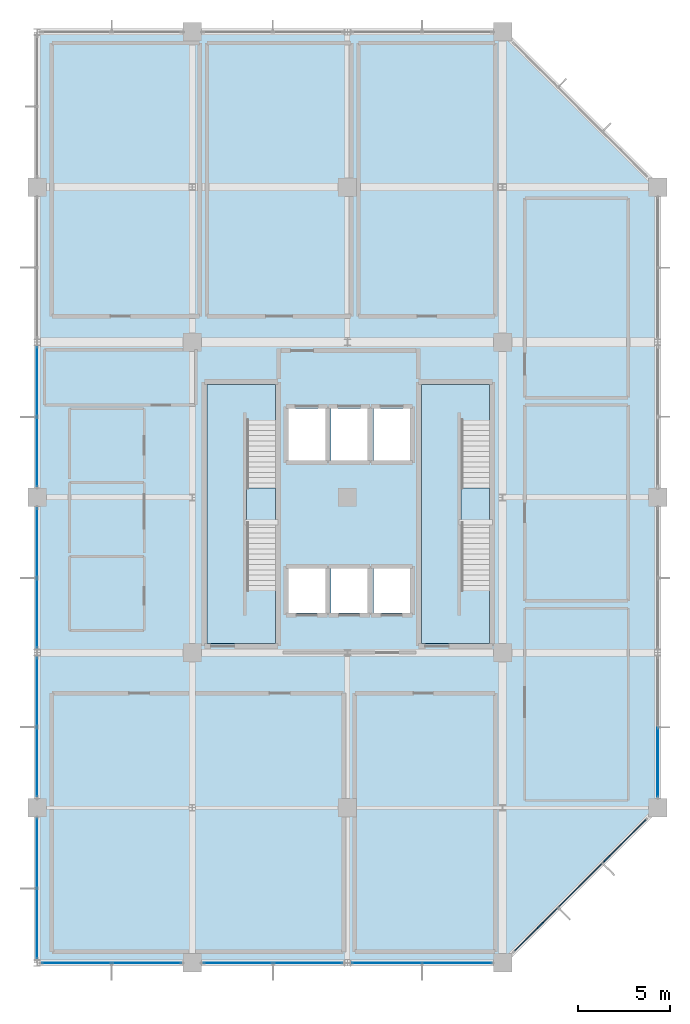
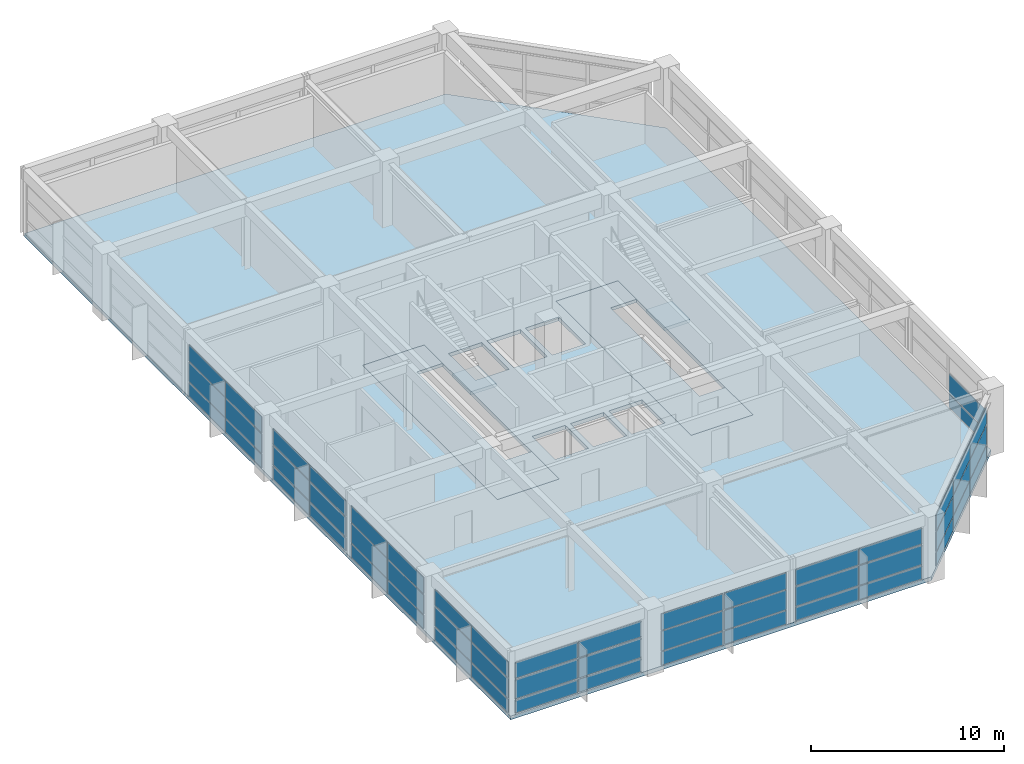
# One storey, part 11 of 16: 53 plates, 5 slabs, 11 elements without a shape of their own.
"""IFC4 building model written with IfcOpenShell, lengths in metres."""

import ifcopenshell
import ifcopenshell.guid

model = None  # the IFC model being written
_history = None  # IfcOwnerHistory: only IFC2X3 demands one
_inside = {}  # id of a spatial element -> (the spatial element, [elements in it])
_under = {}  # id of a project, library or spatial element -> (it, [spatial elements below it])
_declared = {}  # id of a project -> (the project, [libraries it declares])
_typed = {}  # id of a type object -> (the type object, [elements of that type])
_made_of = {}  # id of a material, layer set ... -> (it, [elements and type objects made of it])


def new_model(schema):
    """Start an empty IFC model of exactly this schema.

    Asked for "IFC4X3", IfcOpenShell would pick the latest addendum, in which some entities
    have other attributes; the version numbers below select the first issue.
    IFC2X3 requires an IfcOwnerHistory on every rooted entity: one is made here for all.
    """
    global model, _history
    if schema == "IFC4X3":
        model = ifcopenshell.file(schema_version=(4, 3, 0, 0))
    else:
        model = ifcopenshell.file(schema=schema)
    _inside.clear()
    _under.clear()
    _declared.clear()
    _typed.clear()
    _made_of.clear()
    _history = None
    if model.schema == "IFC2X3":
        org = make("IfcOrganization", Name="unknown")
        user = make(
            "IfcPersonAndOrganization",
            ThePerson=make("IfcPerson", FamilyName="unknown"),
            TheOrganization=org,
        )
        app = make(
            "IfcApplication",
            ApplicationDeveloper=org,
            Version="unknown",
            ApplicationFullName="unknown",
            ApplicationIdentifier="unknown",
        )
        _history = make(
            "IfcOwnerHistory",
            OwningUser=user,
            OwningApplication=app,
            ChangeAction="ADDED",
            CreationDate=0,
        )
    return model


def make(cls, **values):
    """One entity of the class cls with the attributes given. An attribute that is None is left unset."""
    return model.create_entity(
        cls, **{name: value for name, value in values.items() if value is not None}
    )


def rooted(cls, **values):
    """An entity with a GlobalId (a new one), such as an element, a storey or a relation."""
    return make(cls, GlobalId=ifcopenshell.guid.new(), OwnerHistory=_history, **values)


def si_unit(unit_type, name, prefix=None):
    """IfcSIUnit, for example si_unit("LENGTHUNIT", "METRE", prefix="MILLI")."""
    return make("IfcSIUnit", UnitType=unit_type, Prefix=prefix, Name=name)


def assignment(units):
    """IfcUnitAssignment: the units of a project."""
    return None if units is None else make("IfcUnitAssignment", Units=units)


def point(xyz):
    """IfcCartesianPoint."""
    return None if xyz is None else make("IfcCartesianPoint", Coordinates=xyz)


def direction(xyz):
    """IfcDirection."""
    return None if xyz is None else make("IfcDirection", DirectionRatios=xyz)


def frame(location, z_axis=None, x_axis=None):
    """IfcAxis2Placement3D, a coordinate frame: its origin and axes. An axis left out is left unset."""
    return make(
        "IfcAxis2Placement3D",
        Location=point(location),
        Axis=direction(z_axis),
        RefDirection=direction(x_axis),
    )


def frame_2d(location, x_axis=None):
    """IfcAxis2Placement2D, a coordinate frame in the plane: its origin and x axis."""
    return make(
        "IfcAxis2Placement2D", Location=point(location), RefDirection=direction(x_axis)
    )


def origin():
    """The frame at (0, 0, 0) with its axes left unset."""
    return frame((0.0, 0.0, 0.0))


def origin_2d():
    """The frame at (0, 0) in the plane with its x axis left unset."""
    return frame_2d((0.0, 0.0))


def place(relative_to, where):
    """IfcLocalPlacement: puts the frame where relative to a parent placement (None: the world)."""
    return make(
        "IfcLocalPlacement", PlacementRelTo=relative_to, RelativePlacement=where
    )


def context(
    kind, dimensions, precision=None, world=None, true_north=None, identifier=None
):
    """IfcGeometricRepresentationContext, for example the 3D "Model" context."""
    return make(
        "IfcGeometricRepresentationContext",
        ContextIdentifier=identifier,
        ContextType=kind,
        CoordinateSpaceDimension=dimensions,
        Precision=precision,
        WorldCoordinateSystem=world,
        TrueNorth=true_north,
    )


def subcontext(parent, identifier, kind, view, scale=None):
    """IfcGeometricRepresentationSubContext, for example "Body" below "Model"."""
    return make(
        "IfcGeometricRepresentationSubContext",
        ContextIdentifier=identifier,
        ContextType=kind,
        ParentContext=parent,
        TargetScale=scale,
        TargetView=view,
    )


def project(units=None, contexts=None):
    """IfcProject with its units and contexts."""
    return rooted(
        "IfcProject",
        Name="project",
        RepresentationContexts=contexts,
        UnitsInContext=assignment(units),
    )


def spatial(cls, under=None, at=None, **own):
    """A site, building, storey or space (cls), placed at a placement, below another one or the project."""
    s = rooted(cls, ObjectPlacement=at, **own)
    if under is not None:
        _under.setdefault(under.id(), (under, []))[1].append(s)
    return s


def polyline(points):
    """IfcPolyline through the points."""
    return make("IfcPolyline", Points=[point(p) for p in points])


def profile(cls, at=None, kind="AREA", **sizes):
    """A parametric profile (cls). Its sizes go by their IFC names, for example OverallWidth=200.0."""
    return make(cls, ProfileType=kind, Position=at, **sizes)


def rectangle(**sizes):
    """IfcRectangleProfileDef."""
    return profile("IfcRectangleProfileDef", **sizes)


def outline(outer, holes=None, kind="AREA"):
    """IfcArbitraryClosedProfileDef: a profile drawn as a closed curve; with holes, ...WithVoids."""
    if holes is None:
        return make("IfcArbitraryClosedProfileDef", ProfileType=kind, OuterCurve=outer)
    return make(
        "IfcArbitraryProfileDefWithVoids",
        ProfileType=kind,
        OuterCurve=outer,
        InnerCurves=holes,
    )


def extrude(swept, where, along, depth):
    """IfcExtrudedAreaSolid: the profile swept, set in the frame where, extruded along a direction by depth."""
    return make(
        "IfcExtrudedAreaSolid",
        SweptArea=swept,
        Position=where,
        ExtrudedDirection=direction(along),
        Depth=depth,
    )


def shape(context_of_items, identifier, shape_type, items):
    """IfcShapeRepresentation: the items that make up one representation, for example the "Body"."""
    return make(
        "IfcShapeRepresentation",
        ContextOfItems=context_of_items,
        RepresentationIdentifier=identifier,
        RepresentationType=shape_type,
        Items=items,
    )


def material(Name=None, Category=None):
    """IfcMaterial."""
    return make("IfcMaterial", Name=Name, Category=Category)


def layer(
    of_material, thickness, ventilated=None, Name=None, Category=None, Priority=None
):
    """IfcMaterialLayer: one layer of a wall or slab, of a material (None: an air gap)."""
    return make(
        "IfcMaterialLayer",
        Material=of_material,
        LayerThickness=thickness,
        IsVentilated=ventilated,
        Name=Name,
        Category=Category,
        Priority=Priority,
    )


def layer_set(layers, Name=None):
    """IfcMaterialLayerSet."""
    return make("IfcMaterialLayerSet", MaterialLayers=layers, LayerSetName=Name)


def made_of(thing, what):
    """Note that an element or type object is made of a material, layer set ...; save() writes the relation."""
    if what is not None:
        _made_of.setdefault(what.id(), (what, []))[1].append(thing)
    return thing


def type_object(cls, material=None, **own):
    """A type object (cls), such as IfcWallType, which elements share."""
    return made_of(rooted(cls, **own), material)


def element(
    cls,
    number,
    at=None,
    inside=None,
    cuts=None,
    type_object=None,
    material=None,
    context=None,
    identifier="Body",
    shape_type=None,
    held_by="IfcProductDefinitionShape",
    body=None,
    shapes=None,
    **own,
):
    """One element of the class cls, such as IfcWall. Its Tag is "e" and its number.

    at: its placement. inside: the storey or other place that contains it. cuts: it is an
    opening in that element (IfcRelVoidsElement). A single representation is given by context,
    identifier, shape_type and body (its items); several are given by shapes. held_by: the class
    of the entity that holds the representations. save() writes the other relations.
    """
    e = rooted(cls, Tag="e%d" % number, ObjectPlacement=at, **own)
    if body is not None:
        shapes = [shape(context, identifier, shape_type, body)]
    if shapes is not None:
        e.Representation = make(held_by, Representations=shapes)
    if inside is not None:
        _inside.setdefault(inside.id(), (inside, []))[1].append(e)
    if cuts is not None:
        rooted(
            "IfcRelVoidsElement", RelatingBuildingElement=cuts, RelatedOpeningElement=e
        )
    if type_object is not None:
        _typed.setdefault(type_object.id(), (type_object, []))[1].append(e)
    return made_of(e, material)


def aggregate(whole, parts):
    """IfcRelAggregates: a whole, such as a stair, and the parts it consists of."""
    return rooted("IfcRelAggregates", RelatingObject=whole, RelatedObjects=parts)


def save(model, path):
    """Write the relations noted so far, then the file.

    IfcRelAggregates (storeys below a building ...), IfcRelContainedInSpatialStructure (elements
    in a storey), IfcRelDefinesByType, IfcRelAssociatesMaterial and IfcRelDeclares: one each for
    every whole, place, type object, material and project.
    """
    for whole, parts in _under.values():
        aggregate(whole, parts)
    for where, things in _inside.values():
        rooted(
            "IfcRelContainedInSpatialStructure",
            RelatedElements=things,
            RelatingStructure=where,
        )
    for kind, things in _typed.values():
        rooted("IfcRelDefinesByType", RelatedObjects=things, RelatingType=kind)
    for what, things in _made_of.values():
        rooted("IfcRelAssociatesMaterial", RelatedObjects=things, RelatingMaterial=what)
    for by, libraries in _declared.values():
        rooted("IfcRelDeclares", RelatingContext=by, RelatedDefinitions=libraries)
    model.write(path)


model = new_model("IFC4")

# Units and contexts
model_context = context("Model", 3, precision=1e-05, world=origin(), true_north=direction((0.0, 1.0)))
body_context = subcontext(model_context, "Body", "Model", "MODEL_VIEW")
ifc_project = project(units=[si_unit("LENGTHUNIT", "METRE"), si_unit("AREAUNIT", "SQUARE_METRE"), si_unit("VOLUMEUNIT", "CUBIC_METRE"), si_unit("PLANEANGLEUNIT", "RADIAN"), si_unit("MASSUNIT", "GRAM", prefix="KILO")], contexts=[model_context])

# Site, building, storey
site_placement = place(None, origin())
site = spatial("IfcSite", under=ifc_project, at=site_placement, CompositionType="ELEMENT")
building_placement = place(site_placement, origin())
building = spatial("IfcBuilding", under=site, at=building_placement, Name="Xuanlan Plaza Opera House", CompositionType="ELEMENT")
storey_placement = place(building_placement, frame((0.0, 0.0, 48.89990234375)))
storey = spatial("IfcBuildingStorey", under=building, at=storey_placement, Name="L11", CompositionType="ELEMENT", Elevation=48.89990234375)

# Curtain wall, plates
ifc_material_1 = material(Name="Anodised Aluminium 6063-T6 and Low-E Glass", Category="aluminium")
curtain_wall_type_1 = type_object("IfcCurtainWallType", Name="ENV-CW-CW-02", PredefinedType="USERDEFINED", material=ifc_material_1)
curtain_wall_1_placement = place(storey_placement, origin())
curtain_wall_1 = element("IfcCurtainWall", 1, at=curtain_wall_1_placement, inside=storey, type_object=curtain_wall_type_1, Name="Unitised Curtain Wall L11-001", ObjectType="UNITISED CURTAIN WALL", PredefinedType="USERDEFINED")
ifc_material_2 = material(Name="Laminated Acoustic Double Glazing", Category="glass")
ifc_layer_1 = layer(ifc_material_2, 0.028076171875)
ifc_layer_set_1 = layer_set([ifc_layer_1], Name="Laminated Acoustic Double Glazing")
plate_type_1 = type_object("IfcPlateType", Name="ENV-CWP-01", PredefinedType="CURTAIN_PANEL", material=ifc_layer_set_1)
plate_1_placement = place(storey_placement, frame((128.13623046875, 33.60009765625, 0.090087890625), z_axis=(0.0, 0.0, 1.0), x_axis=(1.0, 0.0, 0.0)))
plate_1 = element("IfcPlate", 2, at=plate_1_placement, type_object=plate_type_1, Name="CW-02 panel 1.1", PredefinedType="CURTAIN_PANEL", context=body_context, shape_type="SweptSolid", body=[
    extrude(rectangle(XDim=3.722412109375, YDim=0.028076171875, at=origin_2d()), origin(), (0.0, 0.0, 1.0), 0.81494140625),
])
plate_2_placement = place(storey_placement, frame((128.13623046875, 33.60009765625, 0.9951171875), z_axis=(0.0, 0.0, 1.0), x_axis=(1.0, 0.0, 0.0)))
plate_2 = element("IfcPlate", 3, at=plate_2_placement, type_object=plate_type_1, Name="CW-02 panel 1.2", PredefinedType="CURTAIN_PANEL", context=body_context, shape_type="SweptSolid", body=[
    extrude(rectangle(XDim=3.722412109375, YDim=0.028076171875, at=origin_2d()), origin(), (0.0, 0.0, 1.0), 1.2099609375),
])
plate_3_placement = place(storey_placement, frame((128.13623046875, 33.60009765625, 2.294921875), z_axis=(0.0, 0.0, 1.0), x_axis=(1.0, 0.0, 0.0)))
plate_3 = element("IfcPlate", 4, at=plate_3_placement, type_object=plate_type_1, Name="CW-02 panel 1.3", PredefinedType="CURTAIN_PANEL", context=body_context, shape_type="SweptSolid", body=[
    extrude(rectangle(XDim=3.722412109375, YDim=0.028076171875, at=origin_2d()), origin(), (0.0, 0.0, 1.0), 0.9951171875),
])
plate_4_placement = place(storey_placement, frame((131.938720703125, 33.60009765625, 0.090087890625), z_axis=(0.0, 0.0, 1.0), x_axis=(1.0, 0.0, 0.0)))
plate_4 = element("IfcPlate", 5, at=plate_4_placement, type_object=plate_type_1, Name="CW-02 panel 2.1", PredefinedType="CURTAIN_PANEL", context=body_context, shape_type="SweptSolid", body=[
    extrude(rectangle(XDim=3.722412109375, YDim=0.028076171875, at=origin_2d()), origin(), (0.0, 0.0, 1.0), 0.81494140625),
])
plate_5_placement = place(storey_placement, frame((131.938720703125, 33.60009765625, 0.9951171875), z_axis=(0.0, 0.0, 1.0), x_axis=(1.0, 0.0, 0.0)))
plate_5 = element("IfcPlate", 6, at=plate_5_placement, type_object=plate_type_1, Name="CW-02 panel 2.2", PredefinedType="CURTAIN_PANEL", context=body_context, shape_type="SweptSolid", body=[
    extrude(rectangle(XDim=3.722412109375, YDim=0.028076171875, at=origin_2d()), origin(), (0.0, 0.0, 1.0), 1.2099609375),
])
plate_6_placement = place(storey_placement, frame((131.938720703125, 33.60009765625, 2.294921875), z_axis=(0.0, 0.0, 1.0), x_axis=(1.0, 0.0, 0.0)))
plate_6 = element("IfcPlate", 7, at=plate_6_placement, type_object=plate_type_1, Name="CW-02 panel 2.3", PredefinedType="CURTAIN_PANEL", context=body_context, shape_type="SweptSolid", body=[
    extrude(rectangle(XDim=3.722412109375, YDim=0.028076171875, at=origin_2d()), origin(), (0.0, 0.0, 1.0), 0.9951171875),
])
aggregate(curtain_wall_1, [plate_1, plate_2, plate_3, plate_4, plate_5, plate_6])

curtain_wall_type_2 = type_object("IfcCurtainWallType", Name="ENV-CW-CW-01", PredefinedType="USERDEFINED", material=ifc_material_1)
curtain_wall_2_placement = place(storey_placement, origin())
curtain_wall_2 = element("IfcCurtainWall", 8, at=curtain_wall_2_placement, inside=storey, type_object=curtain_wall_type_2, Name="Unitised Curtain Wall L11-016", ObjectType="UNITISED CURTAIN WALL", PredefinedType="USERDEFINED")
plate_7_placement = place(storey_placement, frame((126.0, 56.3388671875, 0.090087890625), z_axis=(0.0, 0.0, 1.0), x_axis=(0.0, -1.0, 0.0)))
plate_7 = element("IfcPlate", 9, at=plate_7_placement, type_object=plate_type_1, Name="CW-01 panel 1.1", PredefinedType="CURTAIN_PANEL", context=body_context, shape_type="SweptSolid", body=[
    extrude(rectangle(XDim=3.722412109375, YDim=0.028076171875, at=origin_2d()), origin(), (0.0, 0.0, 1.0), 0.81494140625),
])
plate_8_placement = place(storey_placement, frame((126.0, 56.3388671875, 0.9951171875), z_axis=(0.0, 0.0, 1.0), x_axis=(0.0, -1.0, 0.0)))
plate_8 = element("IfcPlate", 10, at=plate_8_placement, type_object=plate_type_1, Name="CW-01 panel 1.2", PredefinedType="CURTAIN_PANEL", context=body_context, shape_type="SweptSolid", body=[
    extrude(rectangle(XDim=3.722412109375, YDim=0.028076171875, at=origin_2d()), origin(), (0.0, 0.0, 1.0), 1.2099609375),
])
plate_9_placement = place(storey_placement, frame((126.0, 56.3388671875, 2.294921875), z_axis=(0.0, 0.0, 1.0), x_axis=(0.0, -1.0, 0.0)))
plate_9 = element("IfcPlate", 11, at=plate_9_placement, type_object=plate_type_1, Name="CW-01 panel 1.3", PredefinedType="CURTAIN_PANEL", context=body_context, shape_type="SweptSolid", body=[
    extrude(rectangle(XDim=3.722412109375, YDim=0.028076171875, at=origin_2d()), origin(), (0.0, 0.0, 1.0), 0.9951171875),
])
plate_10_placement = place(storey_placement, frame((126.0, 52.5361328125, 0.090087890625), z_axis=(0.0, 0.0, 1.0), x_axis=(0.0, -1.0, 0.0)))
plate_10 = element("IfcPlate", 12, at=plate_10_placement, type_object=plate_type_1, Name="CW-01 panel 2.1", PredefinedType="CURTAIN_PANEL", context=body_context, shape_type="SweptSolid", body=[
    extrude(rectangle(XDim=3.722412109375, YDim=0.028076171875, at=origin_2d()), origin(), (0.0, 0.0, 1.0), 0.81494140625),
])
plate_11_placement = place(storey_placement, frame((126.0, 52.5361328125, 0.9951171875), z_axis=(0.0, 0.0, 1.0), x_axis=(0.0, -1.0, 0.0)))
plate_11 = element("IfcPlate", 13, at=plate_11_placement, type_object=plate_type_1, Name="CW-01 panel 2.2", PredefinedType="CURTAIN_PANEL", context=body_context, shape_type="SweptSolid", body=[
    extrude(rectangle(XDim=3.722412109375, YDim=0.028076171875, at=origin_2d()), origin(), (0.0, 0.0, 1.0), 1.2099609375),
])
plate_12_placement = place(storey_placement, frame((126.0, 52.5361328125, 2.294921875), z_axis=(0.0, 0.0, 1.0), x_axis=(0.0, -1.0, 0.0)))
plate_12 = element("IfcPlate", 14, at=plate_12_placement, type_object=plate_type_1, Name="CW-01 panel 2.3", PredefinedType="CURTAIN_PANEL", context=body_context, shape_type="SweptSolid", body=[
    extrude(rectangle(XDim=3.722412109375, YDim=0.028076171875, at=origin_2d()), origin(), (0.0, 0.0, 1.0), 0.9951171875),
])
aggregate(curtain_wall_2, [plate_7, plate_8, plate_9, plate_10, plate_11, plate_12])

curtain_wall_type_3 = type_object("IfcCurtainWallType", Name="ENV-CW-CW-04", PredefinedType="USERDEFINED", material=ifc_material_1)
curtain_wall_3_placement = place(storey_placement, origin())
curtain_wall_3 = element("IfcCurtainWall", 15, at=curtain_wall_3_placement, inside=storey, type_object=curtain_wall_type_3, Name="Unitised Curtain Wall L11-003", ObjectType="UNITISED CURTAIN WALL", PredefinedType="USERDEFINED")
ifc_layer_2 = layer(ifc_material_2, 0.031982421875)
ifc_layer_set_2 = layer_set([ifc_layer_2], Name="Laminated Acoustic Double Glazing")
plate_type_2 = type_object("IfcPlateType", Name="ENV-CWP-02", PredefinedType="CURTAIN_PANEL", material=ifc_layer_set_2)
plate_13_placement = place(storey_placement, frame((144.9326171875, 33.60009765625, 0.080078125), z_axis=(0.0, 0.0, 1.0), x_axis=(1.0, 0.0, 0.0)))
plate_13 = element("IfcPlate", 16, at=plate_13_placement, type_object=plate_type_2, Name="CW-04 panel 1.1", PredefinedType="CURTAIN_PANEL", context=body_context, shape_type="SweptSolid", body=[
    extrude(rectangle(XDim=3.7451171875, YDim=0.031982421875, at=origin_2d()), origin(), (0.0, 0.0, 1.0), 0.830078125),
])
plate_14_placement = place(storey_placement, frame((144.9326171875, 33.60009765625, 0.990234375), z_axis=(0.0, 0.0, 1.0), x_axis=(1.0, 0.0, 0.0)))
plate_14 = element("IfcPlate", 17, at=plate_14_placement, type_object=plate_type_2, Name="CW-04 panel 1.2", PredefinedType="CURTAIN_PANEL", context=body_context, shape_type="SweptSolid", body=[
    extrude(rectangle(XDim=3.7451171875, YDim=0.031982421875, at=origin_2d()), origin(), (0.0, 0.0, 1.0), 1.219970703125),
])
plate_15_placement = place(storey_placement, frame((144.9326171875, 33.60009765625, 2.2900390625), z_axis=(0.0, 0.0, 1.0), x_axis=(1.0, 0.0, 0.0)))
plate_15 = element("IfcPlate", 18, at=plate_15_placement, type_object=plate_type_2, Name="CW-04 panel 1.3", PredefinedType="CURTAIN_PANEL", context=body_context, shape_type="SweptSolid", body=[
    extrude(rectangle(XDim=3.7451171875, YDim=0.031982421875, at=origin_2d()), origin(), (0.0, 0.0, 1.0), 1.010009765625),
])
plate_16_placement = place(storey_placement, frame((148.742431640625, 33.60009765625, 0.080078125), z_axis=(0.0, 0.0, 1.0), x_axis=(1.0, 0.0, 0.0)))
plate_16 = element("IfcPlate", 19, at=plate_16_placement, type_object=plate_type_2, Name="CW-04 panel 2.1", PredefinedType="CURTAIN_PANEL", context=body_context, shape_type="SweptSolid", body=[
    extrude(rectangle(XDim=3.7451171875, YDim=0.031982421875, at=origin_2d()), origin(), (0.0, 0.0, 1.0), 0.830078125),
])
plate_17_placement = place(storey_placement, frame((148.742431640625, 33.60009765625, 0.990234375), z_axis=(0.0, 0.0, 1.0), x_axis=(1.0, 0.0, 0.0)))
plate_17 = element("IfcPlate", 20, at=plate_17_placement, type_object=plate_type_2, Name="CW-04 panel 2.2", PredefinedType="CURTAIN_PANEL", context=body_context, shape_type="SweptSolid", body=[
    extrude(rectangle(XDim=3.7451171875, YDim=0.031982421875, at=origin_2d()), origin(), (0.0, 0.0, 1.0), 1.219970703125),
])
plate_18_placement = place(storey_placement, frame((148.742431640625, 33.60009765625, 2.2900390625), z_axis=(0.0, 0.0, 1.0), x_axis=(1.0, 0.0, 0.0)))
plate_18 = element("IfcPlate", 21, at=plate_18_placement, type_object=plate_type_2, Name="CW-04 panel 2.3", PredefinedType="CURTAIN_PANEL", context=body_context, shape_type="SweptSolid", body=[
    extrude(rectangle(XDim=3.7451171875, YDim=0.031982421875, at=origin_2d()), origin(), (0.0, 0.0, 1.0), 1.010009765625),
])
aggregate(curtain_wall_3, [plate_13, plate_14, plate_15, plate_16, plate_17, plate_18])

curtain_wall_type_4 = type_object("IfcCurtainWallType", Name="ENV-CW-CW-03", PredefinedType="USERDEFINED", material=ifc_material_1)
curtain_wall_4_placement = place(storey_placement, origin())
curtain_wall_4 = element("IfcCurtainWall", 22, at=curtain_wall_4_placement, inside=storey, type_object=curtain_wall_type_4, Name="Unitised Curtain Wall L11-018", ObjectType="UNITISED CURTAIN WALL", PredefinedType="USERDEFINED")
plate_19_placement = place(storey_placement, frame((126.0, 39.54248046875, 0.080078125), z_axis=(0.0, 0.0, 1.0), x_axis=(0.0, -1.0, 0.0)))
plate_19 = element("IfcPlate", 23, at=plate_19_placement, type_object=plate_type_2, Name="CW-03 panel 1.1", PredefinedType="CURTAIN_PANEL", context=body_context, shape_type="SweptSolid", body=[
    extrude(rectangle(XDim=3.7451171875, YDim=0.031982421875, at=origin_2d()), origin(), (0.0, 0.0, 1.0), 0.830078125),
])
plate_20_placement = place(storey_placement, frame((126.0, 39.54248046875, 0.990234375), z_axis=(0.0, 0.0, 1.0), x_axis=(0.0, -1.0, 0.0)))
plate_20 = element("IfcPlate", 24, at=plate_20_placement, type_object=plate_type_2, Name="CW-03 panel 1.2", PredefinedType="CURTAIN_PANEL", context=body_context, shape_type="SweptSolid", body=[
    extrude(rectangle(XDim=3.7451171875, YDim=0.031982421875, at=origin_2d()), origin(), (0.0, 0.0, 1.0), 1.219970703125),
])
plate_21_placement = place(storey_placement, frame((126.0, 39.54248046875, 2.2900390625), z_axis=(0.0, 0.0, 1.0), x_axis=(0.0, -1.0, 0.0)))
plate_21 = element("IfcPlate", 25, at=plate_21_placement, type_object=plate_type_2, Name="CW-03 panel 1.3", PredefinedType="CURTAIN_PANEL", context=body_context, shape_type="SweptSolid", body=[
    extrude(rectangle(XDim=3.7451171875, YDim=0.031982421875, at=origin_2d()), origin(), (0.0, 0.0, 1.0), 1.010009765625),
])
plate_22_placement = place(storey_placement, frame((126.0, 35.732421875, 0.080078125), z_axis=(0.0, 0.0, 1.0), x_axis=(0.0, -1.0, 0.0)))
plate_22 = element("IfcPlate", 26, at=plate_22_placement, type_object=plate_type_2, Name="CW-03 panel 2.1", PredefinedType="CURTAIN_PANEL", context=body_context, shape_type="SweptSolid", body=[
    extrude(rectangle(XDim=3.7451171875, YDim=0.031982421875, at=origin_2d()), origin(), (0.0, 0.0, 1.0), 0.830078125),
])
plate_23_placement = place(storey_placement, frame((126.0, 35.732421875, 0.990234375), z_axis=(0.0, 0.0, 1.0), x_axis=(0.0, -1.0, 0.0)))
plate_23 = element("IfcPlate", 27, at=plate_23_placement, type_object=plate_type_2, Name="CW-03 panel 2.2", PredefinedType="CURTAIN_PANEL", context=body_context, shape_type="SweptSolid", body=[
    extrude(rectangle(XDim=3.7451171875, YDim=0.031982421875, at=origin_2d()), origin(), (0.0, 0.0, 1.0), 1.219970703125),
])
plate_24_placement = place(storey_placement, frame((126.0, 35.732421875, 2.2900390625), z_axis=(0.0, 0.0, 1.0), x_axis=(0.0, -1.0, 0.0)))
plate_24 = element("IfcPlate", 28, at=plate_24_placement, type_object=plate_type_2, Name="CW-03 panel 2.3", PredefinedType="CURTAIN_PANEL", context=body_context, shape_type="SweptSolid", body=[
    extrude(rectangle(XDim=3.7451171875, YDim=0.031982421875, at=origin_2d()), origin(), (0.0, 0.0, 1.0), 1.010009765625),
])
aggregate(curtain_wall_4, [plate_19, plate_20, plate_21, plate_22, plate_23, plate_24])

curtain_wall_5_placement = place(storey_placement, origin())
curtain_wall_5 = element("IfcCurtainWall", 29, at=curtain_wall_5_placement, inside=storey, type_object=curtain_wall_type_1, Name="Unitised Curtain Wall L11-005", ObjectType="UNITISED CURTAIN WALL", PredefinedType="USERDEFINED")
ifc_layer_3 = layer(ifc_material_2, 0.035888671875)
ifc_layer_set_3 = layer_set([ifc_layer_3], Name="Laminated Acoustic Double Glazing")
plate_type_3 = type_object("IfcPlateType", Name="ENV-CWP-03", PredefinedType="CURTAIN_PANEL", material=ifc_layer_set_3)
plate_25_placement = place(storey_placement, frame((159.60009765625, 44.4599609375, 0.0751953125), z_axis=(0.0, 0.0, 1.0), x_axis=(0.0, 1.0, 0.0)))
plate_25 = element("IfcPlate", 30, at=plate_25_placement, type_object=plate_type_3, Name="CW-02 panel 1.1", PredefinedType="CURTAIN_PANEL", context=body_context, shape_type="SweptSolid", body=[
    extrude(rectangle(XDim=3.72998046875, YDim=0.035888671875, at=origin_2d()), origin(), (0.0, 0.0, 1.0), 0.83740234375),
])
plate_26_placement = place(storey_placement, frame((159.60009765625, 44.4599609375, 0.987548828125), z_axis=(0.0, 0.0, 1.0), x_axis=(0.0, 1.0, 0.0)))
plate_26 = element("IfcPlate", 31, at=plate_26_placement, type_object=plate_type_3, Name="CW-02 panel 1.2", PredefinedType="CURTAIN_PANEL", context=body_context, shape_type="SweptSolid", body=[
    extrude(rectangle(XDim=3.72998046875, YDim=0.035888671875, at=origin_2d()), origin(), (0.0, 0.0, 1.0), 1.22509765625),
])
aggregate(curtain_wall_5, [plate_25, plate_26])

curtain_wall_6_placement = place(storey_placement, origin())
curtain_wall_6 = element("IfcCurtainWall", 32, at=curtain_wall_6_placement, inside=storey, type_object=curtain_wall_type_3, Name="Unitised Curtain Wall L11-015", ObjectType="UNITISED CURTAIN WALL", PredefinedType="USERDEFINED")
plate_27_placement = place(storey_placement, frame((126.0, 65.06494140625, 0.0751953125), z_axis=(0.0, 0.0, 1.0), x_axis=(0.0, -1.0, 0.0)))
plate_27 = element("IfcPlate", 33, at=plate_27_placement, type_object=plate_type_3, Name="CW-04 panel 1.1", PredefinedType="CURTAIN_PANEL", context=body_context, shape_type="SweptSolid", body=[
    extrude(rectangle(XDim=3.72998046875, YDim=0.035888671875, at=origin_2d()), origin(), (0.0, 0.0, 1.0), 0.83740234375),
])
plate_28_placement = place(storey_placement, frame((126.0, 65.06494140625, 0.987548828125), z_axis=(0.0, 0.0, 1.0), x_axis=(0.0, -1.0, 0.0)))
plate_28 = element("IfcPlate", 34, at=plate_28_placement, type_object=plate_type_3, Name="CW-04 panel 1.2", PredefinedType="CURTAIN_PANEL", context=body_context, shape_type="SweptSolid", body=[
    extrude(rectangle(XDim=3.72998046875, YDim=0.035888671875, at=origin_2d()), origin(), (0.0, 0.0, 1.0), 1.22509765625),
])
plate_29_placement = place(storey_placement, frame((126.0, 65.06494140625, 2.28759765625), z_axis=(0.0, 0.0, 1.0), x_axis=(0.0, -1.0, 0.0)))
plate_29 = element("IfcPlate", 35, at=plate_29_placement, type_object=plate_type_3, Name="CW-04 panel 1.3", PredefinedType="CURTAIN_PANEL", context=body_context, shape_type="SweptSolid", body=[
    extrude(rectangle(XDim=3.72998046875, YDim=0.035888671875, at=origin_2d()), origin(), (0.0, 0.0, 1.0), 1.017578125),
])
plate_30_placement = place(storey_placement, frame((126.0, 61.260009765625, 0.0751953125), z_axis=(0.0, 0.0, 1.0), x_axis=(0.0, -1.0, 0.0)))
plate_30 = element("IfcPlate", 36, at=plate_30_placement, type_object=plate_type_3, Name="CW-04 panel 2.1", PredefinedType="CURTAIN_PANEL", context=body_context, shape_type="SweptSolid", body=[
    extrude(rectangle(XDim=3.72998046875, YDim=0.035888671875, at=origin_2d()), origin(), (0.0, 0.0, 1.0), 0.83740234375),
])
plate_31_placement = place(storey_placement, frame((126.0, 61.260009765625, 0.987548828125), z_axis=(0.0, 0.0, 1.0), x_axis=(0.0, -1.0, 0.0)))
plate_31 = element("IfcPlate", 37, at=plate_31_placement, type_object=plate_type_3, Name="CW-04 panel 2.2", PredefinedType="CURTAIN_PANEL", context=body_context, shape_type="SweptSolid", body=[
    extrude(rectangle(XDim=3.72998046875, YDim=0.035888671875, at=origin_2d()), origin(), (0.0, 0.0, 1.0), 1.22509765625),
])
plate_32_placement = place(storey_placement, frame((126.0, 61.260009765625, 2.28759765625), z_axis=(0.0, 0.0, 1.0), x_axis=(0.0, -1.0, 0.0)))
plate_32 = element("IfcPlate", 38, at=plate_32_placement, type_object=plate_type_3, Name="CW-04 panel 2.3", PredefinedType="CURTAIN_PANEL", context=body_context, shape_type="SweptSolid", body=[
    extrude(rectangle(XDim=3.72998046875, YDim=0.035888671875, at=origin_2d()), origin(), (0.0, 0.0, 1.0), 1.017578125),
])
aggregate(curtain_wall_6, [plate_27, plate_28, plate_29, plate_30, plate_31, plate_32])

curtain_wall_7_placement = place(storey_placement, origin())
curtain_wall_7 = element("IfcCurtainWall", 39, at=curtain_wall_7_placement, inside=storey, type_object=curtain_wall_type_4, Name="Unitised Curtain Wall L11-002", ObjectType="UNITISED CURTAIN WALL", PredefinedType="USERDEFINED")
ifc_layer_4 = layer(ifc_material_2, 0.0400390625)
ifc_layer_set_4 = layer_set([ifc_layer_4], Name="Laminated Acoustic Double Glazing")
plate_type_4 = type_object("IfcPlateType", Name="ENV-CWP-04", PredefinedType="CURTAIN_PANEL", material=ifc_layer_set_4)
plate_33_placement = place(storey_placement, frame((136.86376953125, 33.60009765625, 0.0703125), z_axis=(0.0, 0.0, 1.0), x_axis=(1.0, 0.0, 0.0)))
plate_33 = element("IfcPlate", 40, at=plate_33_placement, type_object=plate_type_4, Name="CW-03 panel 1.1", PredefinedType="CURTAIN_PANEL", context=body_context, shape_type="SweptSolid", body=[
    extrude(rectangle(XDim=3.70751953125, YDim=0.0400390625, at=origin_2d()), origin(), (0.0, 0.0, 1.0), 0.844970703125),
])
plate_34_placement = place(storey_placement, frame((136.86376953125, 33.60009765625, 0.985107421875), z_axis=(0.0, 0.0, 1.0), x_axis=(1.0, 0.0, 0.0)))
plate_34 = element("IfcPlate", 41, at=plate_34_placement, type_object=plate_type_4, Name="CW-03 panel 1.2", PredefinedType="CURTAIN_PANEL", context=body_context, shape_type="SweptSolid", body=[
    extrude(rectangle(XDim=3.70751953125, YDim=0.0400390625, at=origin_2d()), origin(), (0.0, 0.0, 1.0), 1.22998046875),
])
plate_35_placement = place(storey_placement, frame((136.86376953125, 33.60009765625, 2.28515625), z_axis=(0.0, 0.0, 1.0), x_axis=(1.0, 0.0, 0.0)))
plate_35 = element("IfcPlate", 42, at=plate_35_placement, type_object=plate_type_4, Name="CW-03 panel 1.3", PredefinedType="CURTAIN_PANEL", context=body_context, shape_type="SweptSolid", body=[
    extrude(rectangle(XDim=3.70751953125, YDim=0.0400390625, at=origin_2d()), origin(), (0.0, 0.0, 1.0), 1.02490234375),
])
plate_36_placement = place(storey_placement, frame((140.6611328125, 33.60009765625, 0.0703125), z_axis=(0.0, 0.0, 1.0), x_axis=(1.0, 0.0, 0.0)))
plate_36 = element("IfcPlate", 43, at=plate_36_placement, type_object=plate_type_4, Name="CW-03 panel 2.1", PredefinedType="CURTAIN_PANEL", context=body_context, shape_type="SweptSolid", body=[
    extrude(rectangle(XDim=3.70751953125, YDim=0.0400390625, at=origin_2d()), origin(), (0.0, 0.0, 1.0), 0.844970703125),
])
plate_37_placement = place(storey_placement, frame((140.6611328125, 33.60009765625, 0.985107421875), z_axis=(0.0, 0.0, 1.0), x_axis=(1.0, 0.0, 0.0)))
plate_37 = element("IfcPlate", 44, at=plate_37_placement, type_object=plate_type_4, Name="CW-03 panel 2.2", PredefinedType="CURTAIN_PANEL", context=body_context, shape_type="SweptSolid", body=[
    extrude(rectangle(XDim=3.70751953125, YDim=0.0400390625, at=origin_2d()), origin(), (0.0, 0.0, 1.0), 1.22998046875),
])
plate_38_placement = place(storey_placement, frame((140.6611328125, 33.60009765625, 2.28515625), z_axis=(0.0, 0.0, 1.0), x_axis=(1.0, 0.0, 0.0)))
plate_38 = element("IfcPlate", 45, at=plate_38_placement, type_object=plate_type_4, Name="CW-03 panel 2.3", PredefinedType="CURTAIN_PANEL", context=body_context, shape_type="SweptSolid", body=[
    extrude(rectangle(XDim=3.70751953125, YDim=0.0400390625, at=origin_2d()), origin(), (0.0, 0.0, 1.0), 1.02490234375),
])
aggregate(curtain_wall_7, [plate_33, plate_34, plate_35, plate_36, plate_37, plate_38])

curtain_wall_8_placement = place(storey_placement, origin())
curtain_wall_8 = element("IfcCurtainWall", 46, at=curtain_wall_8_placement, inside=storey, type_object=curtain_wall_type_1, Name="Unitised Curtain Wall L11-017", ObjectType="UNITISED CURTAIN WALL", PredefinedType="USERDEFINED")
plate_39_placement = place(storey_placement, frame((126.0, 48.26123046875, 0.0703125), z_axis=(0.0, 0.0, 1.0), x_axis=(0.0, -1.0, 0.0)))
plate_39 = element("IfcPlate", 47, at=plate_39_placement, type_object=plate_type_4, Name="CW-02 panel 1.1", PredefinedType="CURTAIN_PANEL", context=body_context, shape_type="SweptSolid", body=[
    extrude(rectangle(XDim=3.70751953125, YDim=0.0400390625, at=origin_2d()), origin(), (0.0, 0.0, 1.0), 0.844970703125),
])
plate_40_placement = place(storey_placement, frame((126.0, 48.26123046875, 0.985107421875), z_axis=(0.0, 0.0, 1.0), x_axis=(0.0, -1.0, 0.0)))
plate_40 = element("IfcPlate", 48, at=plate_40_placement, type_object=plate_type_4, Name="CW-02 panel 1.2", PredefinedType="CURTAIN_PANEL", context=body_context, shape_type="SweptSolid", body=[
    extrude(rectangle(XDim=3.70751953125, YDim=0.0400390625, at=origin_2d()), origin(), (0.0, 0.0, 1.0), 1.22998046875),
])
plate_41_placement = place(storey_placement, frame((126.0, 48.26123046875, 2.28515625), z_axis=(0.0, 0.0, 1.0), x_axis=(0.0, -1.0, 0.0)))
plate_41 = element("IfcPlate", 49, at=plate_41_placement, type_object=plate_type_4, Name="CW-02 panel 1.3", PredefinedType="CURTAIN_PANEL", context=body_context, shape_type="SweptSolid", body=[
    extrude(rectangle(XDim=3.70751953125, YDim=0.0400390625, at=origin_2d()), origin(), (0.0, 0.0, 1.0), 1.02490234375),
])
plate_42_placement = place(storey_placement, frame((126.0, 44.4638671875, 0.0703125), z_axis=(0.0, 0.0, 1.0), x_axis=(0.0, -1.0, 0.0)))
plate_42 = element("IfcPlate", 50, at=plate_42_placement, type_object=plate_type_4, Name="CW-02 panel 2.1", PredefinedType="CURTAIN_PANEL", context=body_context, shape_type="SweptSolid", body=[
    extrude(rectangle(XDim=3.70751953125, YDim=0.0400390625, at=origin_2d()), origin(), (0.0, 0.0, 1.0), 0.844970703125),
])
plate_43_placement = place(storey_placement, frame((126.0, 44.4638671875, 0.985107421875), z_axis=(0.0, 0.0, 1.0), x_axis=(0.0, -1.0, 0.0)))
plate_43 = element("IfcPlate", 51, at=plate_43_placement, type_object=plate_type_4, Name="CW-02 panel 2.2", PredefinedType="CURTAIN_PANEL", context=body_context, shape_type="SweptSolid", body=[
    extrude(rectangle(XDim=3.70751953125, YDim=0.0400390625, at=origin_2d()), origin(), (0.0, 0.0, 1.0), 1.22998046875),
])
plate_44_placement = place(storey_placement, frame((126.0, 44.4638671875, 2.28515625), z_axis=(0.0, 0.0, 1.0), x_axis=(0.0, -1.0, 0.0)))
plate_44 = element("IfcPlate", 52, at=plate_44_placement, type_object=plate_type_4, Name="CW-02 panel 2.3", PredefinedType="CURTAIN_PANEL", context=body_context, shape_type="SweptSolid", body=[
    extrude(rectangle(XDim=3.70751953125, YDim=0.0400390625, at=origin_2d()), origin(), (0.0, 0.0, 1.0), 1.02490234375),
])
aggregate(curtain_wall_8, [plate_39, plate_40, plate_41, plate_42, plate_43, plate_44])

curtain_wall_9_placement = place(storey_placement, origin())
curtain_wall_9 = element("IfcCurtainWall", 53, at=curtain_wall_9_placement, inside=storey, type_object=curtain_wall_type_2, Name="Unitised Curtain Wall L11-004", ObjectType="UNITISED CURTAIN WALL", PredefinedType="USERDEFINED")
ifc_layer_5 = layer(ifc_material_2, 0.0439453125)
ifc_layer_set_5 = layer_set([ifc_layer_5], Name="Laminated Acoustic Double Glazing")
plate_type_5 = type_object("IfcPlateType", Name="ENV-CWP-05", PredefinedType="CURTAIN_PANEL", material=ifc_layer_set_5)
plate_45_placement = place(storey_placement, frame((153.01171875, 35.41162109375, 0.065185546875), z_axis=(0.0, 0.0, 1.0), x_axis=(0.707106781187, 0.707106781187, 0.0)))
plate_45 = element("IfcPlate", 54, at=plate_45_placement, type_object=plate_type_5, Name="CW-01 panel 1.1", PredefinedType="CURTAIN_PANEL", context=body_context, shape_type="SweptSolid", body=[
    extrude(rectangle(XDim=3.2900390625, YDim=0.0439453125, at=origin_2d()), origin(), (0.0, 0.0, 1.0), 0.8525390625),
])
plate_46_placement = place(storey_placement, frame((153.01171875, 35.41162109375, 0.982421875), z_axis=(0.0, 0.0, 1.0), x_axis=(0.707106781187, 0.707106781187, 0.0)))
plate_46 = element("IfcPlate", 55, at=plate_46_placement, type_object=plate_type_5, Name="CW-01 panel 1.2", PredefinedType="CURTAIN_PANEL", context=body_context, shape_type="SweptSolid", body=[
    extrude(rectangle(XDim=3.2900390625, YDim=0.0439453125, at=origin_2d()), origin(), (0.0, 0.0, 1.0), 1.235107421875),
])
plate_47_placement = place(storey_placement, frame((153.01171875, 35.41162109375, 2.28271484375), z_axis=(0.0, 0.0, 1.0), x_axis=(0.707106781187, 0.707106781187, 0.0)))
plate_47 = element("IfcPlate", 56, at=plate_47_placement, type_object=plate_type_5, Name="CW-01 panel 1.3", PredefinedType="CURTAIN_PANEL", context=body_context, shape_type="SweptSolid", body=[
    extrude(rectangle(XDim=3.2900390625, YDim=0.0439453125, at=origin_2d()), origin(), (0.0, 0.0, 1.0), 1.032470703125),
])
plate_48_placement = place(storey_placement, frame((155.39990234375, 37.800048828125, 0.065185546875), z_axis=(0.0, 0.0, 1.0), x_axis=(0.707106781187, 0.707106781187, 0.0)))
plate_48 = element("IfcPlate", 57, at=plate_48_placement, type_object=plate_type_5, Name="CW-01 panel 2.1", PredefinedType="CURTAIN_PANEL", context=body_context, shape_type="SweptSolid", body=[
    extrude(rectangle(XDim=3.324951171875, YDim=0.0439453125, at=origin_2d()), origin(), (0.0, 0.0, 1.0), 0.8525390625),
])
plate_49_placement = place(storey_placement, frame((155.39990234375, 37.800048828125, 0.982421875), z_axis=(0.0, 0.0, 1.0), x_axis=(0.707106781187, 0.707106781187, 0.0)))
plate_49 = element("IfcPlate", 58, at=plate_49_placement, type_object=plate_type_5, Name="CW-01 panel 2.2", PredefinedType="CURTAIN_PANEL", context=body_context, shape_type="SweptSolid", body=[
    extrude(rectangle(XDim=3.324951171875, YDim=0.0439453125, at=origin_2d()), origin(), (0.0, 0.0, 1.0), 1.235107421875),
])
plate_50_placement = place(storey_placement, frame((155.39990234375, 37.800048828125, 2.28271484375), z_axis=(0.0, 0.0, 1.0), x_axis=(0.707106781187, 0.707106781187, 0.0)))
plate_50 = element("IfcPlate", 59, at=plate_50_placement, type_object=plate_type_5, Name="CW-01 panel 2.3", PredefinedType="CURTAIN_PANEL", context=body_context, shape_type="SweptSolid", body=[
    extrude(rectangle(XDim=3.324951171875, YDim=0.0439453125, at=origin_2d()), origin(), (0.0, 0.0, 1.0), 1.032470703125),
])
plate_51_placement = place(storey_placement, frame((157.788330078125, 40.188232421875, 0.065185546875), z_axis=(0.0, 0.0, 1.0), x_axis=(0.707106781187, 0.707106781187, 0.0)))
plate_51 = element("IfcPlate", 60, at=plate_51_placement, type_object=plate_type_5, Name="CW-01 panel 3.1", PredefinedType="CURTAIN_PANEL", context=body_context, shape_type="SweptSolid", body=[
    extrude(rectangle(XDim=3.2900390625, YDim=0.0439453125, at=origin_2d()), origin(), (0.0, 0.0, 1.0), 0.8525390625),
])
plate_52_placement = place(storey_placement, frame((157.788330078125, 40.188232421875, 0.982421875), z_axis=(0.0, 0.0, 1.0), x_axis=(0.707106781187, 0.707106781187, 0.0)))
plate_52 = element("IfcPlate", 61, at=plate_52_placement, type_object=plate_type_5, Name="CW-01 panel 3.2", PredefinedType="CURTAIN_PANEL", context=body_context, shape_type="SweptSolid", body=[
    extrude(rectangle(XDim=3.2900390625, YDim=0.0439453125, at=origin_2d()), origin(), (0.0, 0.0, 1.0), 1.235107421875),
])
plate_53_placement = place(storey_placement, frame((157.788330078125, 40.188232421875, 2.28271484375), z_axis=(0.0, 0.0, 1.0), x_axis=(0.707106781187, 0.707106781187, 0.0)))
plate_53 = element("IfcPlate", 62, at=plate_53_placement, type_object=plate_type_5, Name="CW-01 panel 3.3", PredefinedType="CURTAIN_PANEL", context=body_context, shape_type="SweptSolid", body=[
    extrude(rectangle(XDim=3.2900390625, YDim=0.0439453125, at=origin_2d()), origin(), (0.0, 0.0, 1.0), 1.032470703125),
])
aggregate(curtain_wall_9, [plate_45, plate_46, plate_47, plate_48, plate_49, plate_50, plate_51, plate_52, plate_53])

# Stair, slabs
ifc_material_3 = material(Name="Concrete C40", Category="concrete")
stair_type = type_object("IfcStairType", Name="INT-ST-STR-T155", PredefinedType="STRAIGHT_RUN_STAIR", material=ifc_material_3)
stair_1_placement = place(storey_placement, origin())
stair_1 = element("IfcStair", 63, at=stair_1_placement, inside=storey, type_object=stair_type, Name="Protected Exit Stair ST-T1 L11", PredefinedType="STRAIGHT_RUN_STAIR")
ifc_layer_6 = layer(ifc_material_3, 0.199951171875)
ifc_layer_set_6 = layer_set([ifc_layer_6], Name="Concrete C40")
slab_type_1 = type_object("IfcSlabType", Name="INT-SLB-LND-20", PredefinedType="LANDING", material=ifc_layer_set_6)
slab_1_placement = place(storey_placement, frame((0.0, 0.0, 1.900146484375)))
slab_1 = element("IfcSlab", 64, at=slab_1_placement, type_object=slab_type_1, Name="ST-T1-L11 landing 1", PredefinedType="LANDING", context=body_context, shape_type="SweptSolid", body=[
    extrude(outline(polyline([(137.35009765625, 57.419921875), (138.89990234375, 57.419921875), (138.89990234375, 59.320068359375), (137.35009765625, 59.320068359375), (137.35009765625, 57.419921875)])), origin(), (0.0, 0.0, 1.0), 0.199951171875),
])
slab_2_placement = place(storey_placement, frame((0.0, 0.0, -0.199951171875)))
slab_2 = element("IfcSlab", 65, at=slab_2_placement, type_object=slab_type_1, Name="ST-T1-L11 landing 2", PredefinedType="LANDING", context=body_context, shape_type="SweptSolid", body=[
    extrude(outline(polyline([(135.199951171875, 50.89990234375), (138.89990234375, 50.89990234375), (138.89990234375, 53.764892578125), (137.35009765625, 53.764892578125), (137.35009765625, 62.97509765625), (138.89990234375, 62.97509765625), (138.89990234375, 64.89990234375), (135.199951171875, 64.89990234375), (135.199951171875, 50.89990234375)])), origin(), (0.0, 0.0, 1.0), 0.199951171875),
])
aggregate(stair_1, [slab_1, slab_2])

stair_2_placement = place(storey_placement, origin())
stair_2 = element("IfcStair", 66, at=stair_2_placement, inside=storey, type_object=stair_type, Name="Protected Exit Stair ST-T2 L11", PredefinedType="STRAIGHT_RUN_STAIR")
slab_3_placement = place(storey_placement, frame((0.0, 0.0, 1.900146484375)))
slab_3 = element("IfcSlab", 67, at=slab_3_placement, type_object=slab_type_1, Name="ST-T2-L11 landing 1", PredefinedType="LANDING", context=body_context, shape_type="SweptSolid", body=[
    extrude(outline(polyline([(148.949951171875, 57.419921875), (150.5, 57.419921875), (150.5, 59.320068359375), (148.949951171875, 59.320068359375), (148.949951171875, 57.419921875)])), origin(), (0.0, 0.0, 1.0), 0.199951171875),
])
slab_4_placement = place(storey_placement, frame((0.0, 0.0, -0.199951171875)))
slab_4 = element("IfcSlab", 68, at=slab_4_placement, type_object=slab_type_1, Name="ST-T2-L11 landing 2", PredefinedType="LANDING", context=body_context, shape_type="SweptSolid", body=[
    extrude(outline(polyline([(146.800048828125, 50.89990234375), (150.5, 50.89990234375), (150.5, 53.764892578125), (148.949951171875, 53.764892578125), (148.949951171875, 62.97509765625), (150.5, 62.97509765625), (150.5, 64.89990234375), (146.800048828125, 64.89990234375), (146.800048828125, 50.89990234375)])), origin(), (0.0, 0.0, 1.0), 0.199951171875),
])
aggregate(stair_2, [slab_3, slab_4])

# Slab
ifc_layer_7 = layer(ifc_material_3, 0.239990234375)
ifc_layer_set_7 = layer_set([ifc_layer_7], Name="Concrete C40")
slab_type_2 = type_object("IfcSlabType", Name="STR-SLB-SL-03", PredefinedType="FLOOR", material=ifc_layer_set_7)
slab_5_placement = place(storey_placement, frame((0.0, 0.0, -0.239990234375)))
element("IfcSlab", 69, at=slab_5_placement, inside=storey, type_object=slab_type_2, Name="Storey L11 Structural Floor Slab", PredefinedType="FLOOR", context=body_context, shape_type="SweptSolid", body=[
    extrude(outline(polyline([(126.0, 33.60009765625), (151.199951171875, 33.60009765625), (159.60009765625, 42.0), (159.60009765625, 75.60009765625), (151.199951171875, 84.0), (126.0, 84.0), (126.0, 33.60009765625)]), holes=[polyline([(135.199951171875, 50.89990234375), (138.89990234375, 50.89990234375), (138.89990234375, 64.89990234375), (135.199951171875, 64.89990234375), (135.199951171875, 50.89990234375)]), polyline([(146.800048828125, 50.89990234375), (150.5, 50.89990234375), (150.5, 64.89990234375), (146.800048828125, 64.89990234375), (146.800048828125, 50.89990234375)]), polyline([(139.60009765625, 60.800048828125), (141.60009765625, 60.800048828125), (141.60009765625, 63.60009765625), (139.60009765625, 63.60009765625), (139.60009765625, 60.800048828125)]), polyline([(141.89990234375, 60.800048828125), (143.89990234375, 60.800048828125), (143.89990234375, 63.60009765625), (141.89990234375, 63.60009765625), (141.89990234375, 60.800048828125)]), polyline([(144.199951171875, 60.800048828125), (146.199951171875, 60.800048828125), (146.199951171875, 63.60009765625), (144.199951171875, 63.60009765625), (144.199951171875, 60.800048828125)]), polyline([(139.60009765625, 52.550048828125), (141.60009765625, 52.550048828125), (141.60009765625, 54.949951171875), (139.60009765625, 54.949951171875), (139.60009765625, 52.550048828125)]), polyline([(141.89990234375, 52.550048828125), (143.89990234375, 52.550048828125), (143.89990234375, 54.949951171875), (141.89990234375, 54.949951171875), (141.89990234375, 52.550048828125)]), polyline([(144.199951171875, 52.550048828125), (146.199951171875, 52.550048828125), (146.199951171875, 54.949951171875), (144.199951171875, 54.949951171875), (144.199951171875, 52.550048828125)])]), origin(), (0.0, 0.0, 1.0), 0.239990234375),
])

save(model, "model.ifc")
